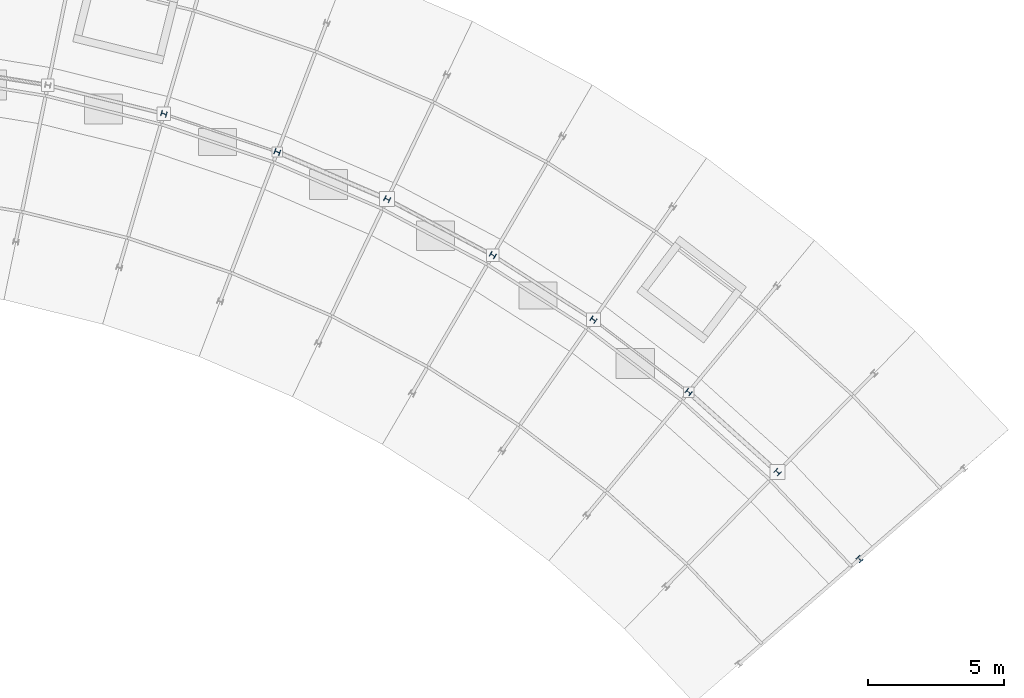
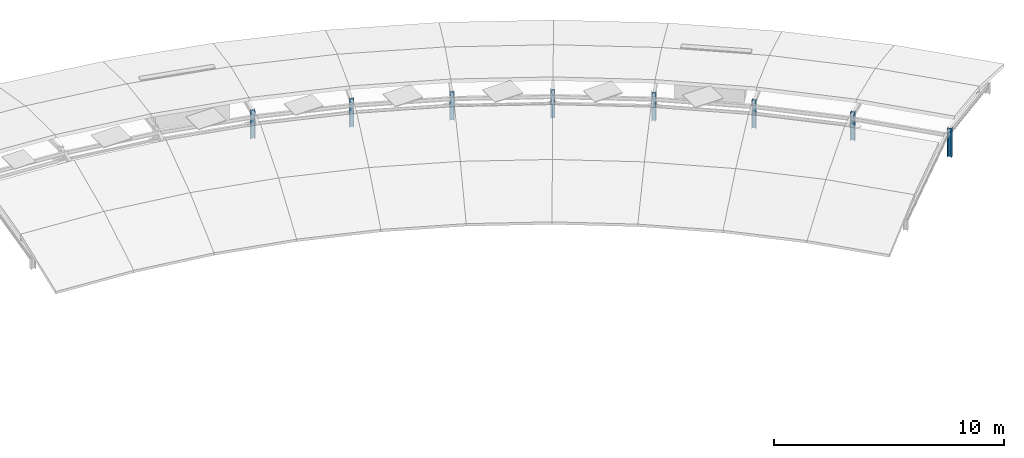
# One storey, part 3 of 20: 8 columns.
"""IFC4 building model written with IfcOpenShell, lengths in metres."""

from ifc_helpers import new_model, si_unit, direction, frame, origin, origin_2d, place, context, subcontext, project, spatial, i_section, extrude, material, material_profile, profile_set, type_object, element, save


model = new_model("IFC4")

# Units and contexts
model_context = context("Model", 3, precision=1e-05, world=origin(), true_north=direction((0.0, 1.0)))
body_context = subcontext(model_context, "Body", "Model", "MODEL_VIEW")
ifc_project = project(units=[si_unit("LENGTHUNIT", "METRE"), si_unit("AREAUNIT", "SQUARE_METRE"), si_unit("VOLUMEUNIT", "CUBIC_METRE"), si_unit("PLANEANGLEUNIT", "RADIAN"), si_unit("MASSUNIT", "GRAM", prefix="KILO")], contexts=[model_context])

# Site, building, storey
site_placement = place(None, origin())
site = spatial("IfcSite", under=ifc_project, at=site_placement, CompositionType="ELEMENT")
building_placement = place(site_placement, origin())
building = spatial("IfcBuilding", under=site, at=building_placement, Name="Zimvara Arc Housing Community", CompositionType="ELEMENT")
storey_placement = place(building_placement, frame((0.0, 0.0, 39.10009765625)))
storey = spatial("IfcBuildingStorey", under=building, at=storey_placement, Name="L12", CompositionType="ELEMENT", Elevation=39.10009765625)

# Columns
ifc_material = material(Name="Steel S355", Category="steel")
ifc_material_profile = material_profile(ifc_material, i_section(OverallWidth=0.199951171875, OverallDepth=0.199951171875, WebThickness=0.009033203125, FlangeThickness=0.014892578125, FilletRadius=0.01806640625, at=origin_2d()), Name="HEB 200")
ifc_profile_set = profile_set([ifc_material_profile], Name="Steel S355")
column_type = type_object("IfcColumnType", Name="COL-ST-HEB200", PredefinedType="COLUMN", material=ifc_profile_set)
for number, where, z_axis, x_axis, name in (
    (1, (60.0458984375, 96.1533203125, 0.0), (0.0, 0.0, 1.0), (0.27966144946, 0.96009867914, 0.0), "col:blkB:L12:ribpost2:g3"),
    (2, (64.2099609375, 94.75341796875, 0.0), (0.0, 0.0, 1.0), (0.357064076459, 0.934079892355, 0.0), "col:blkB:L12:ribpost2:g4"),
    (3, (68.24609375, 93.0185546875, 0.0), (0.0, 0.0, 1.0), (0.432085748802, 0.901832526405, 0.0), "col:blkB:L12:ribpost2:g5"),
    (4, (72.12744140625, 90.960205078125, 0.0), (0.0, 0.0, 1.0), (0.504226211181, 0.863571611366, 0.0), "col:blkB:L12:ribpost2:g6"),
    (5, (75.82763671875, 88.591796875, 0.0), (0.0, 0.0, 1.0), (0.573004420611, 0.819552276527, 0.0), "col:blkB:L12:ribpost2:g7"),
    (6, (79.322265625, 85.9296875, 0.0), (0.0, 0.0, 1.0), (0.637961754089, 0.770068049148, 0.0), "col:blkB:L12:ribpost2:g8"),
    (7, (82.588134765625, 82.9912109375, 0.0), (0.0, 0.0, 1.0), (0.698665066769, 0.715448897181, 0.0), "col:blkB:L12:ribpost2:g9"),
    (8, (85.603271484375, 79.7958984375, 0.0), (0.0, 0.0, 1.0), (0.754709580223, 0.656059028991, 0.0), "col:blkB:L12:ribpost2:g10"),
):
    element("IfcColumn", number, at=place(storey_placement, frame(where, z_axis=z_axis, x_axis=x_axis)), inside=storey, type_object=column_type, Name=name, PredefinedType="COLUMN", context=body_context, shape_type="SweptSolid", body=[
        extrude(i_section(OverallWidth=0.199951171875, OverallDepth=0.199951171875, WebThickness=0.009033203125, FlangeThickness=0.014892578125, FilletRadius=0.01806640625, at=origin_2d()), origin(), (0.0, 0.0, 1.0), 1.514892578125),
    ])

save(model, "model.ifc")
